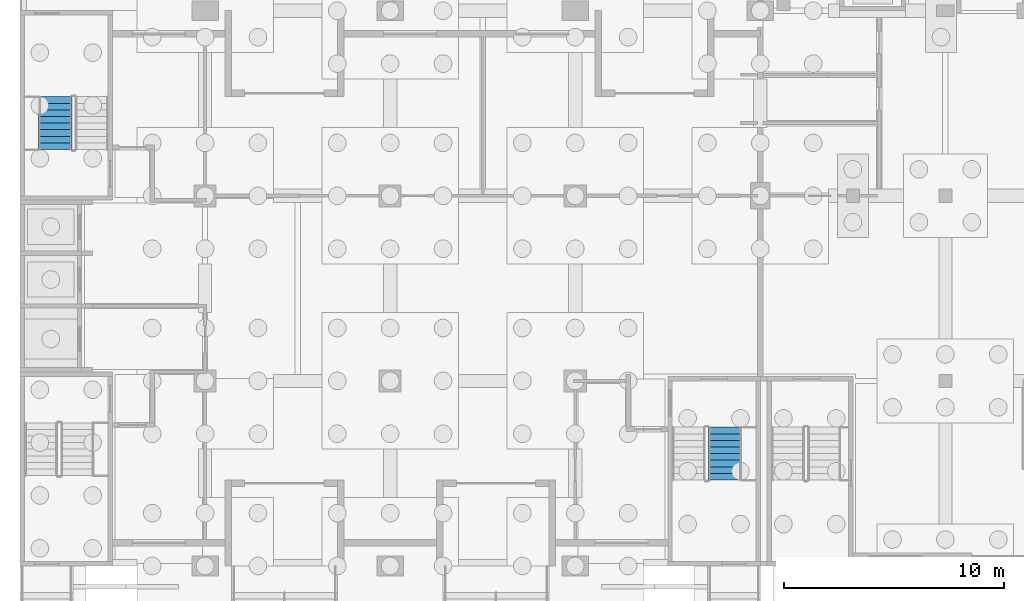
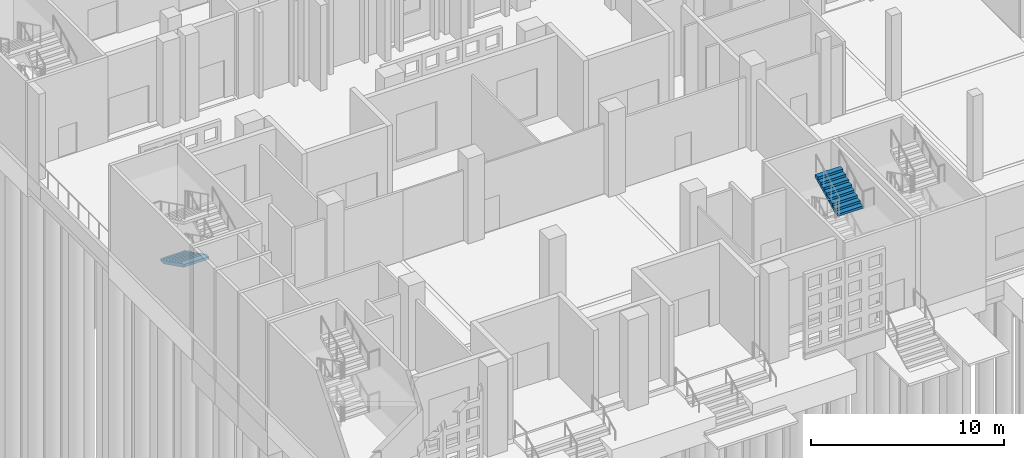
# One storey, part 64 of 129: 2 stair flights, 2 elements without a shape of their own.
"""IFC4 building model written with IfcOpenShell, lengths in metres."""

from ifc_helpers import new_model, si_unit, direction, frame, origin, place, context, subcontext, project, spatial, faceted_brep, material, type_object, element, aggregate, save


model = new_model("IFC4")

# Units and contexts
model_context = context("Model", 3, precision=1e-05, world=origin(), true_north=direction((0.0, 1.0)))
body_context = subcontext(model_context, "Body", "Model", "MODEL_VIEW")
ifc_project = project(units=[si_unit("LENGTHUNIT", "METRE"), si_unit("AREAUNIT", "SQUARE_METRE"), si_unit("VOLUMEUNIT", "CUBIC_METRE"), si_unit("PLANEANGLEUNIT", "RADIAN"), si_unit("MASSUNIT", "GRAM", prefix="KILO")], contexts=[model_context])

# Site, building, storey
site_placement = place(None, origin())
site = spatial("IfcSite", under=ifc_project, at=site_placement, CompositionType="ELEMENT")
building_placement = place(site_placement, origin())
building = spatial("IfcBuilding", under=site, at=building_placement, Name="Kiln Court Media Centre", CompositionType="ELEMENT")
storey_placement = place(building_placement, origin())
storey = spatial("IfcBuildingStorey", under=building, at=storey_placement, Name="L00", CompositionType="ELEMENT", Elevation=0.0)

# Stair, stair flight
ifc_material_1 = material(Name="Concrete C40/50", Category="concrete")
stair_type = type_object("IfcStairType", Name="Concrete C40/50 dog-leg stair 1500 wide, 150 riser", PredefinedType="HALF_TURN_STAIR", material=ifc_material_1)
stair_1_placement = place(storey_placement, origin())
stair_1 = element("IfcStair", 1, at=stair_1_placement, inside=storey, type_object=stair_type, Name="ST-02 L00", PredefinedType="HALF_TURN_STAIR")
ifc_material_2 = material(Name="Concrete C40/50", Category="concrete")
stair_flight_type = type_object("IfcStairFlightType", Name="Concrete C40/50 stair flight 1500 wide, 150 riser, 300 going", PredefinedType="STRAIGHT", material=ifc_material_2)
stair_flight_1_placement = place(storey_placement, frame((1.60009765625, 21.300048828125, 1.35009765625), z_axis=(0.0, 0.0, 1.0), x_axis=(0.0, -1.0, 0.0)))
stair_flight_1 = element("IfcStairFlight", 2, at=stair_flight_1_placement, type_object=stair_flight_type, Name="L00-ST-5001 flight 5005", NumberOfRisers=9, NumberOfTreads=8, PredefinedType="STRAIGHT", RiserHeight=0.15, TreadLength=0.3, context=body_context, shape_type="Brep", body=[
    faceted_brep([(0.335205078125, -0.75, 0.0), (2.39990234375, -0.75, 1.032470703125), (2.39990234375, -0.75, 1.199951171875), (2.10009765625, -0.75, 1.199951171875), (2.10009765625, -0.75, 1.050048828125), (1.800048828125, -0.75, 1.050048828125), (1.800048828125, -0.75, 0.89990234375), (1.5, -0.75, 0.89990234375), (1.5, -0.75, 0.75), (1.199951171875, -0.75, 0.75), (1.199951171875, -0.75, 0.60009765625), (0.89990234375, -0.75, 0.60009765625), (0.89990234375, -0.75, 0.449951171875), (0.60009765625, -0.75, 0.449951171875), (0.60009765625, -0.75, 0.300048828125), (0.300048828125, -0.75, 0.300048828125), (0.300048828125, -0.75, 0.14990234375), (0.0, -0.75, 0.14990234375), (0.0, -0.75, 0.0), (0.0, 0.75, 0.0), (0.0, 0.75, 0.14990234375), (0.300048828125, 0.75, 0.14990234375), (0.300048828125, 0.75, 0.300048828125), (0.60009765625, 0.75, 0.300048828125), (0.60009765625, 0.75, 0.449951171875), (0.89990234375, 0.75, 0.449951171875), (0.89990234375, 0.75, 0.60009765625), (1.199951171875, 0.75, 0.60009765625), (1.199951171875, 0.75, 0.75), (1.5, 0.75, 0.75), (1.5, 0.75, 0.89990234375), (1.800048828125, 0.75, 0.89990234375), (1.800048828125, 0.75, 1.050048828125), (2.10009765625, 0.75, 1.050048828125), (2.10009765625, 0.75, 1.199951171875), (2.39990234375, 0.75, 1.199951171875), (2.39990234375, 0.75, 1.032470703125), (0.335205078125, 0.75, 0.0), (2.39990234375, 0.10009765625, 1.032470703125), (0.335205078125, 0.10009765625, 0.0), (2.39990234375, 0.080078125, 1.032470703125), (0.335205078125, 0.080078125, 0.0), (2.39990234375, 0.06005859375, 1.032470703125), (0.335205078125, 0.06005859375, 0.0), (2.39990234375, 0.0400390625, 1.032470703125), (0.335205078125, 0.0400390625, 0.0), (2.39990234375, 0.02001953125, 1.032470703125), (0.335205078125, 0.02001953125, 0.0), (2.39990234375, 0.0, 1.032470703125), (0.335205078125, 0.0, 0.0), (2.39990234375, -0.02001953125, 1.032470703125), (0.335205078125, -0.02001953125, 0.0), (2.39990234375, -0.0400390625, 1.032470703125), (0.335205078125, -0.0400390625, 0.0), (2.39990234375, -0.06005859375, 1.032470703125), (0.335205078125, -0.06005859375, 0.0), (2.39990234375, -0.080078125, 1.032470703125), (0.335205078125, -0.080078125, 0.0), (2.39990234375, -0.10009765625, 1.032470703125), (0.335205078125, -0.10009765625, 0.0), (2.39990234375, 0.10009765625, 1.199951171875), (2.39990234375, 0.080078125, 1.199951171875), (2.39990234375, 0.06005859375, 1.199951171875), (2.39990234375, 0.0400390625, 1.199951171875), (2.39990234375, 0.02001953125, 1.199951171875), (2.39990234375, 0.0, 1.199951171875), (2.39990234375, -0.02001953125, 1.199951171875), (2.39990234375, -0.0400390625, 1.199951171875), (2.39990234375, -0.06005859375, 1.199951171875), (2.39990234375, -0.080078125, 1.199951171875), (2.39990234375, -0.10009765625, 1.199951171875), (2.10009765625, 0.10009765625, 1.199951171875), (2.10009765625, 0.080078125, 1.199951171875), (2.10009765625, 0.06005859375, 1.199951171875), (2.10009765625, 0.0400390625, 1.199951171875), (2.10009765625, 0.02001953125, 1.199951171875), (2.10009765625, 0.0, 1.199951171875), (2.10009765625, -0.02001953125, 1.199951171875), (2.10009765625, -0.0400390625, 1.199951171875), (2.10009765625, -0.06005859375, 1.199951171875), (2.10009765625, -0.080078125, 1.199951171875), (2.10009765625, -0.10009765625, 1.199951171875), (2.10009765625, 0.10009765625, 1.050048828125), (2.10009765625, 0.080078125, 1.050048828125), (2.10009765625, 0.06005859375, 1.050048828125), (2.10009765625, 0.0400390625, 1.050048828125), (2.10009765625, 0.02001953125, 1.050048828125), (2.10009765625, 0.0, 1.050048828125), (2.10009765625, -0.02001953125, 1.050048828125), (2.10009765625, -0.0400390625, 1.050048828125), (2.10009765625, -0.06005859375, 1.050048828125), (2.10009765625, -0.080078125, 1.050048828125), (2.10009765625, -0.10009765625, 1.050048828125), (1.800048828125, 0.10009765625, 1.050048828125), (1.800048828125, 0.080078125, 1.050048828125), (1.800048828125, 0.06005859375, 1.050048828125), (1.800048828125, 0.0400390625, 1.050048828125), (1.800048828125, 0.02001953125, 1.050048828125), (1.800048828125, 0.0, 1.050048828125), (1.800048828125, -0.02001953125, 1.050048828125), (1.800048828125, -0.0400390625, 1.050048828125), (1.800048828125, -0.06005859375, 1.050048828125), (1.800048828125, -0.080078125, 1.050048828125), (1.800048828125, -0.10009765625, 1.050048828125), (1.800048828125, 0.10009765625, 0.89990234375), (1.800048828125, 0.080078125, 0.89990234375), (1.800048828125, 0.06005859375, 0.89990234375), (1.800048828125, 0.0400390625, 0.89990234375), (1.800048828125, 0.02001953125, 0.89990234375), (1.800048828125, 0.0, 0.89990234375), (1.800048828125, -0.02001953125, 0.89990234375), (1.800048828125, -0.0400390625, 0.89990234375), (1.800048828125, -0.06005859375, 0.89990234375), (1.800048828125, -0.080078125, 0.89990234375), (1.800048828125, -0.10009765625, 0.89990234375), (1.5, 0.10009765625, 0.89990234375), (1.5, 0.080078125, 0.89990234375), (1.5, 0.06005859375, 0.89990234375), (1.5, 0.0400390625, 0.89990234375), (1.5, 0.02001953125, 0.89990234375), (1.5, 0.0, 0.89990234375), (1.5, -0.02001953125, 0.89990234375), (1.5, -0.0400390625, 0.89990234375), (1.5, -0.06005859375, 0.89990234375), (1.5, -0.080078125, 0.89990234375), (1.5, -0.10009765625, 0.89990234375), (1.5, 0.10009765625, 0.75), (1.5, 0.080078125, 0.75), (1.5, 0.06005859375, 0.75), (1.5, 0.0400390625, 0.75), (1.5, 0.02001953125, 0.75), (1.5, 0.0, 0.75), (1.5, -0.02001953125, 0.75), (1.5, -0.0400390625, 0.75), (1.5, -0.06005859375, 0.75), (1.5, -0.080078125, 0.75), (1.5, -0.10009765625, 0.75), (1.199951171875, 0.10009765625, 0.75), (1.199951171875, 0.080078125, 0.75), (1.199951171875, 0.06005859375, 0.75), (1.199951171875, 0.0400390625, 0.75), (1.199951171875, 0.02001953125, 0.75), (1.199951171875, 0.0, 0.75), (1.199951171875, -0.02001953125, 0.75), (1.199951171875, -0.0400390625, 0.75), (1.199951171875, -0.06005859375, 0.75), (1.199951171875, -0.080078125, 0.75), (1.199951171875, -0.10009765625, 0.75), (1.199951171875, 0.10009765625, 0.60009765625), (1.199951171875, 0.080078125, 0.60009765625), (1.199951171875, 0.06005859375, 0.60009765625), (1.199951171875, 0.0400390625, 0.60009765625), (1.199951171875, 0.02001953125, 0.60009765625), (1.199951171875, 0.0, 0.60009765625), (1.199951171875, -0.02001953125, 0.60009765625), (1.199951171875, -0.0400390625, 0.60009765625), (1.199951171875, -0.06005859375, 0.60009765625), (1.199951171875, -0.080078125, 0.60009765625), (1.199951171875, -0.10009765625, 0.60009765625), (0.89990234375, 0.10009765625, 0.60009765625), (0.89990234375, 0.080078125, 0.60009765625), (0.89990234375, 0.06005859375, 0.60009765625), (0.89990234375, 0.0400390625, 0.60009765625), (0.89990234375, 0.02001953125, 0.60009765625), (0.89990234375, 0.0, 0.60009765625), (0.89990234375, -0.02001953125, 0.60009765625), (0.89990234375, -0.0400390625, 0.60009765625), (0.89990234375, -0.06005859375, 0.60009765625), (0.89990234375, -0.080078125, 0.60009765625), (0.89990234375, -0.10009765625, 0.60009765625), (0.89990234375, 0.10009765625, 0.449951171875), (0.89990234375, 0.080078125, 0.449951171875), (0.89990234375, 0.06005859375, 0.449951171875), (0.89990234375, 0.0400390625, 0.449951171875), (0.89990234375, 0.02001953125, 0.449951171875), (0.89990234375, 0.0, 0.449951171875), (0.89990234375, -0.02001953125, 0.449951171875), (0.89990234375, -0.0400390625, 0.449951171875), (0.89990234375, -0.06005859375, 0.449951171875), (0.89990234375, -0.080078125, 0.449951171875), (0.89990234375, -0.10009765625, 0.449951171875), (0.60009765625, 0.10009765625, 0.449951171875), (0.60009765625, 0.080078125, 0.449951171875), (0.60009765625, 0.06005859375, 0.449951171875), (0.60009765625, 0.0400390625, 0.449951171875), (0.60009765625, 0.02001953125, 0.449951171875), (0.60009765625, 0.0, 0.449951171875), (0.60009765625, -0.02001953125, 0.449951171875), (0.60009765625, -0.0400390625, 0.449951171875), (0.60009765625, -0.06005859375, 0.449951171875), (0.60009765625, -0.080078125, 0.449951171875), (0.60009765625, -0.10009765625, 0.449951171875), (0.60009765625, 0.10009765625, 0.300048828125), (0.60009765625, 0.080078125, 0.300048828125), (0.60009765625, 0.06005859375, 0.300048828125), (0.60009765625, 0.0400390625, 0.300048828125), (0.60009765625, 0.02001953125, 0.300048828125), (0.60009765625, 0.0, 0.300048828125), (0.60009765625, -0.02001953125, 0.300048828125), (0.60009765625, -0.0400390625, 0.300048828125), (0.60009765625, -0.06005859375, 0.300048828125), (0.60009765625, -0.080078125, 0.300048828125), (0.60009765625, -0.10009765625, 0.300048828125), (0.300048828125, 0.10009765625, 0.300048828125), (0.300048828125, 0.080078125, 0.300048828125), (0.300048828125, 0.06005859375, 0.300048828125), (0.300048828125, 0.0400390625, 0.300048828125), (0.300048828125, 0.02001953125, 0.300048828125), (0.300048828125, 0.0, 0.300048828125), (0.300048828125, -0.02001953125, 0.300048828125), (0.300048828125, -0.0400390625, 0.300048828125), (0.300048828125, -0.06005859375, 0.300048828125), (0.300048828125, -0.080078125, 0.300048828125), (0.300048828125, -0.10009765625, 0.300048828125), (0.300048828125, 0.10009765625, 0.14990234375), (0.300048828125, 0.080078125, 0.14990234375), (0.300048828125, 0.06005859375, 0.14990234375), (0.300048828125, 0.0400390625, 0.14990234375), (0.300048828125, 0.02001953125, 0.14990234375), (0.300048828125, 0.0, 0.14990234375), (0.300048828125, -0.02001953125, 0.14990234375), (0.300048828125, -0.0400390625, 0.14990234375), (0.300048828125, -0.06005859375, 0.14990234375), (0.300048828125, -0.080078125, 0.14990234375), (0.300048828125, -0.10009765625, 0.14990234375), (0.0, 0.10009765625, 0.14990234375), (0.0, 0.080078125, 0.14990234375), (0.0, 0.06005859375, 0.14990234375), (0.0, 0.0400390625, 0.14990234375), (0.0, 0.02001953125, 0.14990234375), (0.0, 0.0, 0.14990234375), (0.0, -0.02001953125, 0.14990234375), (0.0, -0.0400390625, 0.14990234375), (0.0, -0.06005859375, 0.14990234375), (0.0, -0.080078125, 0.14990234375), (0.0, -0.10009765625, 0.14990234375), (0.0, 0.10009765625, 0.0), (0.0, 0.080078125, 0.0), (0.0, 0.06005859375, 0.0), (0.0, 0.0400390625, 0.0), (0.0, 0.02001953125, 0.0), (0.0, 0.0, 0.0), (0.0, -0.02001953125, 0.0), (0.0, -0.0400390625, 0.0), (0.0, -0.06005859375, 0.0), (0.0, -0.080078125, 0.0), (0.0, -0.10009765625, 0.0)], [[[0, 1, 2, 3, 4, 5, 6, 7, 8, 9, 10, 11, 12, 13, 14, 15, 16, 17, 18]], [[19, 20, 21, 22, 23, 24, 25, 26, 27, 28, 29, 30, 31, 32, 33, 34, 35, 36, 37]], [[37, 36, 38, 39]], [[39, 38, 40, 41]], [[41, 40, 42, 43]], [[43, 42, 44, 45]], [[45, 44, 46, 47]], [[47, 46, 48, 49]], [[49, 48, 50, 51]], [[51, 50, 52, 53]], [[53, 52, 54, 55]], [[55, 54, 56, 57]], [[57, 56, 58, 59]], [[59, 58, 1, 0]], [[36, 35, 60, 38]], [[38, 60, 61, 40]], [[40, 61, 62, 42]], [[42, 62, 63, 44]], [[44, 63, 64, 46]], [[46, 64, 65, 48]], [[48, 65, 66, 50]], [[50, 66, 67, 52]], [[52, 67, 68, 54]], [[54, 68, 69, 56]], [[56, 69, 70, 58]], [[58, 70, 2, 1]], [[35, 34, 71, 60]], [[60, 71, 72, 61]], [[61, 72, 73, 62]], [[62, 73, 74, 63]], [[63, 74, 75, 64]], [[64, 75, 76, 65]], [[65, 76, 77, 66]], [[66, 77, 78, 67]], [[67, 78, 79, 68]], [[68, 79, 80, 69]], [[69, 80, 81, 70]], [[70, 81, 3, 2]], [[34, 33, 82, 71]], [[71, 82, 83, 72]], [[72, 83, 84, 73]], [[73, 84, 85, 74]], [[74, 85, 86, 75]], [[75, 86, 87, 76]], [[76, 87, 88, 77]], [[77, 88, 89, 78]], [[78, 89, 90, 79]], [[79, 90, 91, 80]], [[80, 91, 92, 81]], [[81, 92, 4, 3]], [[33, 32, 93, 82]], [[82, 93, 94, 83]], [[83, 94, 95, 84]], [[84, 95, 96, 85]], [[85, 96, 97, 86]], [[86, 97, 98, 87]], [[87, 98, 99, 88]], [[88, 99, 100, 89]], [[89, 100, 101, 90]], [[90, 101, 102, 91]], [[91, 102, 103, 92]], [[92, 103, 5, 4]], [[32, 31, 104, 93]], [[93, 104, 105, 94]], [[94, 105, 106, 95]], [[95, 106, 107, 96]], [[96, 107, 108, 97]], [[97, 108, 109, 98]], [[98, 109, 110, 99]], [[99, 110, 111, 100]], [[100, 111, 112, 101]], [[101, 112, 113, 102]], [[102, 113, 114, 103]], [[103, 114, 6, 5]], [[31, 30, 115, 104]], [[104, 115, 116, 105]], [[105, 116, 117, 106]], [[106, 117, 118, 107]], [[107, 118, 119, 108]], [[108, 119, 120, 109]], [[109, 120, 121, 110]], [[110, 121, 122, 111]], [[111, 122, 123, 112]], [[112, 123, 124, 113]], [[113, 124, 125, 114]], [[114, 125, 7, 6]], [[30, 29, 126, 115]], [[115, 126, 127, 116]], [[116, 127, 128, 117]], [[117, 128, 129, 118]], [[118, 129, 130, 119]], [[119, 130, 131, 120]], [[120, 131, 132, 121]], [[121, 132, 133, 122]], [[122, 133, 134, 123]], [[123, 134, 135, 124]], [[124, 135, 136, 125]], [[125, 136, 8, 7]], [[29, 28, 137, 126]], [[126, 137, 138, 127]], [[127, 138, 139, 128]], [[128, 139, 140, 129]], [[129, 140, 141, 130]], [[130, 141, 142, 131]], [[131, 142, 143, 132]], [[132, 143, 144, 133]], [[133, 144, 145, 134]], [[134, 145, 146, 135]], [[135, 146, 147, 136]], [[136, 147, 9, 8]], [[28, 27, 148, 137]], [[137, 148, 149, 138]], [[138, 149, 150, 139]], [[139, 150, 151, 140]], [[140, 151, 152, 141]], [[141, 152, 153, 142]], [[142, 153, 154, 143]], [[143, 154, 155, 144]], [[144, 155, 156, 145]], [[145, 156, 157, 146]], [[146, 157, 158, 147]], [[147, 158, 10, 9]], [[27, 26, 159, 148]], [[148, 159, 160, 149]], [[149, 160, 161, 150]], [[150, 161, 162, 151]], [[151, 162, 163, 152]], [[152, 163, 164, 153]], [[153, 164, 165, 154]], [[154, 165, 166, 155]], [[155, 166, 167, 156]], [[156, 167, 168, 157]], [[157, 168, 169, 158]], [[158, 169, 11, 10]], [[26, 25, 170, 159]], [[159, 170, 171, 160]], [[160, 171, 172, 161]], [[161, 172, 173, 162]], [[162, 173, 174, 163]], [[163, 174, 175, 164]], [[164, 175, 176, 165]], [[165, 176, 177, 166]], [[166, 177, 178, 167]], [[167, 178, 179, 168]], [[168, 179, 180, 169]], [[169, 180, 12, 11]], [[25, 24, 181, 170]], [[170, 181, 182, 171]], [[171, 182, 183, 172]], [[172, 183, 184, 173]], [[173, 184, 185, 174]], [[174, 185, 186, 175]], [[175, 186, 187, 176]], [[176, 187, 188, 177]], [[177, 188, 189, 178]], [[178, 189, 190, 179]], [[179, 190, 191, 180]], [[180, 191, 13, 12]], [[24, 23, 192, 181]], [[181, 192, 193, 182]], [[182, 193, 194, 183]], [[183, 194, 195, 184]], [[184, 195, 196, 185]], [[185, 196, 197, 186]], [[186, 197, 198, 187]], [[187, 198, 199, 188]], [[188, 199, 200, 189]], [[189, 200, 201, 190]], [[190, 201, 202, 191]], [[191, 202, 14, 13]], [[23, 22, 203, 192]], [[192, 203, 204, 193]], [[193, 204, 205, 194]], [[194, 205, 206, 195]], [[195, 206, 207, 196]], [[196, 207, 208, 197]], [[197, 208, 209, 198]], [[198, 209, 210, 199]], [[199, 210, 211, 200]], [[200, 211, 212, 201]], [[201, 212, 213, 202]], [[202, 213, 15, 14]], [[22, 21, 214, 203]], [[203, 214, 215, 204]], [[204, 215, 216, 205]], [[205, 216, 217, 206]], [[206, 217, 218, 207]], [[207, 218, 219, 208]], [[208, 219, 220, 209]], [[209, 220, 221, 210]], [[210, 221, 222, 211]], [[211, 222, 223, 212]], [[212, 223, 224, 213]], [[213, 224, 16, 15]], [[21, 20, 225, 214]], [[214, 225, 226, 215]], [[215, 226, 227, 216]], [[216, 227, 228, 217]], [[217, 228, 229, 218]], [[218, 229, 230, 219]], [[219, 230, 231, 220]], [[220, 231, 232, 221]], [[221, 232, 233, 222]], [[222, 233, 234, 223]], [[223, 234, 235, 224]], [[224, 235, 17, 16]], [[20, 19, 236, 225]], [[225, 236, 237, 226]], [[226, 237, 238, 227]], [[227, 238, 239, 228]], [[228, 239, 240, 229]], [[229, 240, 241, 230]], [[230, 241, 242, 231]], [[231, 242, 243, 232]], [[232, 243, 244, 233]], [[233, 244, 245, 234]], [[234, 245, 246, 235]], [[235, 246, 18, 17]], [[19, 37, 39, 236]], [[236, 39, 41, 237]], [[237, 41, 43, 238]], [[238, 43, 45, 239]], [[239, 45, 47, 240]], [[240, 47, 49, 241]], [[241, 49, 51, 242]], [[242, 51, 53, 243]], [[243, 53, 55, 244]], [[244, 55, 57, 245]], [[245, 57, 59, 246]], [[246, 59, 0, 18]]]),
])
aggregate(stair_1, [stair_flight_1])

stair_2_placement = place(storey_placement, origin())
stair_2 = element("IfcStair", 3, at=stair_2_placement, inside=storey, type_object=stair_type, Name="ST-03 L00", PredefinedType="HALF_TURN_STAIR")
stair_flight_2_placement = place(storey_placement, frame((32.0, 3.89990234375, 4.050048828125), z_axis=(0.0, 0.0, 1.0), x_axis=(0.0, 1.0, 0.0)))
stair_flight_2 = element("IfcStairFlight", 4, at=stair_flight_2_placement, type_object=stair_flight_type, Name="L00-ST-5002 flight 5011", NumberOfRisers=9, NumberOfTreads=8, PredefinedType="STRAIGHT", RiserHeight=0.15, TreadLength=0.3, context=body_context, shape_type="Brep", body=[
    faceted_brep([(0.335205078125, -0.75, 0.0), (2.39990234375, -0.75, 1.032470703125), (2.39990234375, -0.75, 1.199951171875), (2.10009765625, -0.75, 1.199951171875), (2.10009765625, -0.75, 1.050048828125), (1.800048828125, -0.75, 1.050048828125), (1.800048828125, -0.75, 0.89990234375), (1.5, -0.75, 0.89990234375), (1.5, -0.75, 0.75), (1.199951171875, -0.75, 0.75), (1.199951171875, -0.75, 0.60009765625), (0.89990234375, -0.75, 0.60009765625), (0.89990234375, -0.75, 0.449951171875), (0.60009765625, -0.75, 0.449951171875), (0.60009765625, -0.75, 0.300048828125), (0.300048828125, -0.75, 0.300048828125), (0.300048828125, -0.75, 0.14990234375), (0.0, -0.75, 0.14990234375), (0.0, -0.75, 0.0), (0.0, 0.75, 0.0), (0.0, 0.75, 0.14990234375), (0.300048828125, 0.75, 0.14990234375), (0.300048828125, 0.75, 0.300048828125), (0.60009765625, 0.75, 0.300048828125), (0.60009765625, 0.75, 0.449951171875), (0.89990234375, 0.75, 0.449951171875), (0.89990234375, 0.75, 0.60009765625), (1.199951171875, 0.75, 0.60009765625), (1.199951171875, 0.75, 0.75), (1.5, 0.75, 0.75), (1.5, 0.75, 0.89990234375), (1.800048828125, 0.75, 0.89990234375), (1.800048828125, 0.75, 1.050048828125), (2.10009765625, 0.75, 1.050048828125), (2.10009765625, 0.75, 1.199951171875), (2.39990234375, 0.75, 1.199951171875), (2.39990234375, 0.75, 1.032470703125), (0.335205078125, 0.75, 0.0), (2.39990234375, 0.10009765625, 1.032470703125), (0.335205078125, 0.10009765625, 0.0), (2.39990234375, 0.080078125, 1.032470703125), (0.335205078125, 0.080078125, 0.0), (2.39990234375, 0.06005859375, 1.032470703125), (0.335205078125, 0.06005859375, 0.0), (2.39990234375, 0.0400390625, 1.032470703125), (0.335205078125, 0.0400390625, 0.0), (2.39990234375, 0.02001953125, 1.032470703125), (0.335205078125, 0.02001953125, 0.0), (2.39990234375, 0.0, 1.032470703125), (0.335205078125, 0.0, 0.0), (2.39990234375, -0.02001953125, 1.032470703125), (0.335205078125, -0.02001953125, 0.0), (2.39990234375, -0.0400390625, 1.032470703125), (0.335205078125, -0.0400390625, 0.0), (2.39990234375, -0.06005859375, 1.032470703125), (0.335205078125, -0.06005859375, 0.0), (2.39990234375, -0.080078125, 1.032470703125), (0.335205078125, -0.080078125, 0.0), (2.39990234375, -0.10009765625, 1.032470703125), (0.335205078125, -0.10009765625, 0.0), (2.39990234375, 0.10009765625, 1.199951171875), (2.39990234375, 0.080078125, 1.199951171875), (2.39990234375, 0.06005859375, 1.199951171875), (2.39990234375, 0.0400390625, 1.199951171875), (2.39990234375, 0.02001953125, 1.199951171875), (2.39990234375, 0.0, 1.199951171875), (2.39990234375, -0.02001953125, 1.199951171875), (2.39990234375, -0.0400390625, 1.199951171875), (2.39990234375, -0.06005859375, 1.199951171875), (2.39990234375, -0.080078125, 1.199951171875), (2.39990234375, -0.10009765625, 1.199951171875), (2.10009765625, 0.10009765625, 1.199951171875), (2.10009765625, 0.080078125, 1.199951171875), (2.10009765625, 0.06005859375, 1.199951171875), (2.10009765625, 0.0400390625, 1.199951171875), (2.10009765625, 0.02001953125, 1.199951171875), (2.10009765625, 0.0, 1.199951171875), (2.10009765625, -0.02001953125, 1.199951171875), (2.10009765625, -0.0400390625, 1.199951171875), (2.10009765625, -0.06005859375, 1.199951171875), (2.10009765625, -0.080078125, 1.199951171875), (2.10009765625, -0.10009765625, 1.199951171875), (2.10009765625, 0.10009765625, 1.050048828125), (2.10009765625, 0.080078125, 1.050048828125), (2.10009765625, 0.06005859375, 1.050048828125), (2.10009765625, 0.0400390625, 1.050048828125), (2.10009765625, 0.02001953125, 1.050048828125), (2.10009765625, 0.0, 1.050048828125), (2.10009765625, -0.02001953125, 1.050048828125), (2.10009765625, -0.0400390625, 1.050048828125), (2.10009765625, -0.06005859375, 1.050048828125), (2.10009765625, -0.080078125, 1.050048828125), (2.10009765625, -0.10009765625, 1.050048828125), (1.800048828125, 0.10009765625, 1.050048828125), (1.800048828125, 0.080078125, 1.050048828125), (1.800048828125, 0.06005859375, 1.050048828125), (1.800048828125, 0.0400390625, 1.050048828125), (1.800048828125, 0.02001953125, 1.050048828125), (1.800048828125, 0.0, 1.050048828125), (1.800048828125, -0.02001953125, 1.050048828125), (1.800048828125, -0.0400390625, 1.050048828125), (1.800048828125, -0.06005859375, 1.050048828125), (1.800048828125, -0.080078125, 1.050048828125), (1.800048828125, -0.10009765625, 1.050048828125), (1.800048828125, 0.10009765625, 0.89990234375), (1.800048828125, 0.080078125, 0.89990234375), (1.800048828125, 0.06005859375, 0.89990234375), (1.800048828125, 0.0400390625, 0.89990234375), (1.800048828125, 0.02001953125, 0.89990234375), (1.800048828125, 0.0, 0.89990234375), (1.800048828125, -0.02001953125, 0.89990234375), (1.800048828125, -0.0400390625, 0.89990234375), (1.800048828125, -0.06005859375, 0.89990234375), (1.800048828125, -0.080078125, 0.89990234375), (1.800048828125, -0.10009765625, 0.89990234375), (1.5, 0.10009765625, 0.89990234375), (1.5, 0.080078125, 0.89990234375), (1.5, 0.06005859375, 0.89990234375), (1.5, 0.0400390625, 0.89990234375), (1.5, 0.02001953125, 0.89990234375), (1.5, 0.0, 0.89990234375), (1.5, -0.02001953125, 0.89990234375), (1.5, -0.0400390625, 0.89990234375), (1.5, -0.06005859375, 0.89990234375), (1.5, -0.080078125, 0.89990234375), (1.5, -0.10009765625, 0.89990234375), (1.5, 0.10009765625, 0.75), (1.5, 0.080078125, 0.75), (1.5, 0.06005859375, 0.75), (1.5, 0.0400390625, 0.75), (1.5, 0.02001953125, 0.75), (1.5, 0.0, 0.75), (1.5, -0.02001953125, 0.75), (1.5, -0.0400390625, 0.75), (1.5, -0.06005859375, 0.75), (1.5, -0.080078125, 0.75), (1.5, -0.10009765625, 0.75), (1.199951171875, 0.10009765625, 0.75), (1.199951171875, 0.080078125, 0.75), (1.199951171875, 0.06005859375, 0.75), (1.199951171875, 0.0400390625, 0.75), (1.199951171875, 0.02001953125, 0.75), (1.199951171875, 0.0, 0.75), (1.199951171875, -0.02001953125, 0.75), (1.199951171875, -0.0400390625, 0.75), (1.199951171875, -0.06005859375, 0.75), (1.199951171875, -0.080078125, 0.75), (1.199951171875, -0.10009765625, 0.75), (1.199951171875, 0.10009765625, 0.60009765625), (1.199951171875, 0.080078125, 0.60009765625), (1.199951171875, 0.06005859375, 0.60009765625), (1.199951171875, 0.0400390625, 0.60009765625), (1.199951171875, 0.02001953125, 0.60009765625), (1.199951171875, 0.0, 0.60009765625), (1.199951171875, -0.02001953125, 0.60009765625), (1.199951171875, -0.0400390625, 0.60009765625), (1.199951171875, -0.06005859375, 0.60009765625), (1.199951171875, -0.080078125, 0.60009765625), (1.199951171875, -0.10009765625, 0.60009765625), (0.89990234375, 0.10009765625, 0.60009765625), (0.89990234375, 0.080078125, 0.60009765625), (0.89990234375, 0.06005859375, 0.60009765625), (0.89990234375, 0.0400390625, 0.60009765625), (0.89990234375, 0.02001953125, 0.60009765625), (0.89990234375, 0.0, 0.60009765625), (0.89990234375, -0.02001953125, 0.60009765625), (0.89990234375, -0.0400390625, 0.60009765625), (0.89990234375, -0.06005859375, 0.60009765625), (0.89990234375, -0.080078125, 0.60009765625), (0.89990234375, -0.10009765625, 0.60009765625), (0.89990234375, 0.10009765625, 0.449951171875), (0.89990234375, 0.080078125, 0.449951171875), (0.89990234375, 0.06005859375, 0.449951171875), (0.89990234375, 0.0400390625, 0.449951171875), (0.89990234375, 0.02001953125, 0.449951171875), (0.89990234375, 0.0, 0.449951171875), (0.89990234375, -0.02001953125, 0.449951171875), (0.89990234375, -0.0400390625, 0.449951171875), (0.89990234375, -0.06005859375, 0.449951171875), (0.89990234375, -0.080078125, 0.449951171875), (0.89990234375, -0.10009765625, 0.449951171875), (0.60009765625, 0.10009765625, 0.449951171875), (0.60009765625, 0.080078125, 0.449951171875), (0.60009765625, 0.06005859375, 0.449951171875), (0.60009765625, 0.0400390625, 0.449951171875), (0.60009765625, 0.02001953125, 0.449951171875), (0.60009765625, 0.0, 0.449951171875), (0.60009765625, -0.02001953125, 0.449951171875), (0.60009765625, -0.0400390625, 0.449951171875), (0.60009765625, -0.06005859375, 0.449951171875), (0.60009765625, -0.080078125, 0.449951171875), (0.60009765625, -0.10009765625, 0.449951171875), (0.60009765625, 0.10009765625, 0.300048828125), (0.60009765625, 0.080078125, 0.300048828125), (0.60009765625, 0.06005859375, 0.300048828125), (0.60009765625, 0.0400390625, 0.300048828125), (0.60009765625, 0.02001953125, 0.300048828125), (0.60009765625, 0.0, 0.300048828125), (0.60009765625, -0.02001953125, 0.300048828125), (0.60009765625, -0.0400390625, 0.300048828125), (0.60009765625, -0.06005859375, 0.300048828125), (0.60009765625, -0.080078125, 0.300048828125), (0.60009765625, -0.10009765625, 0.300048828125), (0.300048828125, 0.10009765625, 0.300048828125), (0.300048828125, 0.080078125, 0.300048828125), (0.300048828125, 0.06005859375, 0.300048828125), (0.300048828125, 0.0400390625, 0.300048828125), (0.300048828125, 0.02001953125, 0.300048828125), (0.300048828125, 0.0, 0.300048828125), (0.300048828125, -0.02001953125, 0.300048828125), (0.300048828125, -0.0400390625, 0.300048828125), (0.300048828125, -0.06005859375, 0.300048828125), (0.300048828125, -0.080078125, 0.300048828125), (0.300048828125, -0.10009765625, 0.300048828125), (0.300048828125, 0.10009765625, 0.14990234375), (0.300048828125, 0.080078125, 0.14990234375), (0.300048828125, 0.06005859375, 0.14990234375), (0.300048828125, 0.0400390625, 0.14990234375), (0.300048828125, 0.02001953125, 0.14990234375), (0.300048828125, 0.0, 0.14990234375), (0.300048828125, -0.02001953125, 0.14990234375), (0.300048828125, -0.0400390625, 0.14990234375), (0.300048828125, -0.06005859375, 0.14990234375), (0.300048828125, -0.080078125, 0.14990234375), (0.300048828125, -0.10009765625, 0.14990234375), (0.0, 0.10009765625, 0.14990234375), (0.0, 0.080078125, 0.14990234375), (0.0, 0.06005859375, 0.14990234375), (0.0, 0.0400390625, 0.14990234375), (0.0, 0.02001953125, 0.14990234375), (0.0, 0.0, 0.14990234375), (0.0, -0.02001953125, 0.14990234375), (0.0, -0.0400390625, 0.14990234375), (0.0, -0.06005859375, 0.14990234375), (0.0, -0.080078125, 0.14990234375), (0.0, -0.10009765625, 0.14990234375), (0.0, 0.10009765625, 0.0), (0.0, 0.080078125, 0.0), (0.0, 0.06005859375, 0.0), (0.0, 0.0400390625, 0.0), (0.0, 0.02001953125, 0.0), (0.0, 0.0, 0.0), (0.0, -0.02001953125, 0.0), (0.0, -0.0400390625, 0.0), (0.0, -0.06005859375, 0.0), (0.0, -0.080078125, 0.0), (0.0, -0.10009765625, 0.0)], [[[0, 1, 2, 3, 4, 5, 6, 7, 8, 9, 10, 11, 12, 13, 14, 15, 16, 17, 18]], [[19, 20, 21, 22, 23, 24, 25, 26, 27, 28, 29, 30, 31, 32, 33, 34, 35, 36, 37]], [[37, 36, 38, 39]], [[39, 38, 40, 41]], [[41, 40, 42, 43]], [[43, 42, 44, 45]], [[45, 44, 46, 47]], [[47, 46, 48, 49]], [[49, 48, 50, 51]], [[51, 50, 52, 53]], [[53, 52, 54, 55]], [[55, 54, 56, 57]], [[57, 56, 58, 59]], [[59, 58, 1, 0]], [[36, 35, 60, 38]], [[38, 60, 61, 40]], [[40, 61, 62, 42]], [[42, 62, 63, 44]], [[44, 63, 64, 46]], [[46, 64, 65, 48]], [[48, 65, 66, 50]], [[50, 66, 67, 52]], [[52, 67, 68, 54]], [[54, 68, 69, 56]], [[56, 69, 70, 58]], [[58, 70, 2, 1]], [[35, 34, 71, 60]], [[60, 71, 72, 61]], [[61, 72, 73, 62]], [[62, 73, 74, 63]], [[63, 74, 75, 64]], [[64, 75, 76, 65]], [[65, 76, 77, 66]], [[66, 77, 78, 67]], [[67, 78, 79, 68]], [[68, 79, 80, 69]], [[69, 80, 81, 70]], [[70, 81, 3, 2]], [[34, 33, 82, 71]], [[71, 82, 83, 72]], [[72, 83, 84, 73]], [[73, 84, 85, 74]], [[74, 85, 86, 75]], [[75, 86, 87, 76]], [[76, 87, 88, 77]], [[77, 88, 89, 78]], [[78, 89, 90, 79]], [[79, 90, 91, 80]], [[80, 91, 92, 81]], [[81, 92, 4, 3]], [[33, 32, 93, 82]], [[82, 93, 94, 83]], [[83, 94, 95, 84]], [[84, 95, 96, 85]], [[85, 96, 97, 86]], [[86, 97, 98, 87]], [[87, 98, 99, 88]], [[88, 99, 100, 89]], [[89, 100, 101, 90]], [[90, 101, 102, 91]], [[91, 102, 103, 92]], [[92, 103, 5, 4]], [[32, 31, 104, 93]], [[93, 104, 105, 94]], [[94, 105, 106, 95]], [[95, 106, 107, 96]], [[96, 107, 108, 97]], [[97, 108, 109, 98]], [[98, 109, 110, 99]], [[99, 110, 111, 100]], [[100, 111, 112, 101]], [[101, 112, 113, 102]], [[102, 113, 114, 103]], [[103, 114, 6, 5]], [[31, 30, 115, 104]], [[104, 115, 116, 105]], [[105, 116, 117, 106]], [[106, 117, 118, 107]], [[107, 118, 119, 108]], [[108, 119, 120, 109]], [[109, 120, 121, 110]], [[110, 121, 122, 111]], [[111, 122, 123, 112]], [[112, 123, 124, 113]], [[113, 124, 125, 114]], [[114, 125, 7, 6]], [[30, 29, 126, 115]], [[115, 126, 127, 116]], [[116, 127, 128, 117]], [[117, 128, 129, 118]], [[118, 129, 130, 119]], [[119, 130, 131, 120]], [[120, 131, 132, 121]], [[121, 132, 133, 122]], [[122, 133, 134, 123]], [[123, 134, 135, 124]], [[124, 135, 136, 125]], [[125, 136, 8, 7]], [[29, 28, 137, 126]], [[126, 137, 138, 127]], [[127, 138, 139, 128]], [[128, 139, 140, 129]], [[129, 140, 141, 130]], [[130, 141, 142, 131]], [[131, 142, 143, 132]], [[132, 143, 144, 133]], [[133, 144, 145, 134]], [[134, 145, 146, 135]], [[135, 146, 147, 136]], [[136, 147, 9, 8]], [[28, 27, 148, 137]], [[137, 148, 149, 138]], [[138, 149, 150, 139]], [[139, 150, 151, 140]], [[140, 151, 152, 141]], [[141, 152, 153, 142]], [[142, 153, 154, 143]], [[143, 154, 155, 144]], [[144, 155, 156, 145]], [[145, 156, 157, 146]], [[146, 157, 158, 147]], [[147, 158, 10, 9]], [[27, 26, 159, 148]], [[148, 159, 160, 149]], [[149, 160, 161, 150]], [[150, 161, 162, 151]], [[151, 162, 163, 152]], [[152, 163, 164, 153]], [[153, 164, 165, 154]], [[154, 165, 166, 155]], [[155, 166, 167, 156]], [[156, 167, 168, 157]], [[157, 168, 169, 158]], [[158, 169, 11, 10]], [[26, 25, 170, 159]], [[159, 170, 171, 160]], [[160, 171, 172, 161]], [[161, 172, 173, 162]], [[162, 173, 174, 163]], [[163, 174, 175, 164]], [[164, 175, 176, 165]], [[165, 176, 177, 166]], [[166, 177, 178, 167]], [[167, 178, 179, 168]], [[168, 179, 180, 169]], [[169, 180, 12, 11]], [[25, 24, 181, 170]], [[170, 181, 182, 171]], [[171, 182, 183, 172]], [[172, 183, 184, 173]], [[173, 184, 185, 174]], [[174, 185, 186, 175]], [[175, 186, 187, 176]], [[176, 187, 188, 177]], [[177, 188, 189, 178]], [[178, 189, 190, 179]], [[179, 190, 191, 180]], [[180, 191, 13, 12]], [[24, 23, 192, 181]], [[181, 192, 193, 182]], [[182, 193, 194, 183]], [[183, 194, 195, 184]], [[184, 195, 196, 185]], [[185, 196, 197, 186]], [[186, 197, 198, 187]], [[187, 198, 199, 188]], [[188, 199, 200, 189]], [[189, 200, 201, 190]], [[190, 201, 202, 191]], [[191, 202, 14, 13]], [[23, 22, 203, 192]], [[192, 203, 204, 193]], [[193, 204, 205, 194]], [[194, 205, 206, 195]], [[195, 206, 207, 196]], [[196, 207, 208, 197]], [[197, 208, 209, 198]], [[198, 209, 210, 199]], [[199, 210, 211, 200]], [[200, 211, 212, 201]], [[201, 212, 213, 202]], [[202, 213, 15, 14]], [[22, 21, 214, 203]], [[203, 214, 215, 204]], [[204, 215, 216, 205]], [[205, 216, 217, 206]], [[206, 217, 218, 207]], [[207, 218, 219, 208]], [[208, 219, 220, 209]], [[209, 220, 221, 210]], [[210, 221, 222, 211]], [[211, 222, 223, 212]], [[212, 223, 224, 213]], [[213, 224, 16, 15]], [[21, 20, 225, 214]], [[214, 225, 226, 215]], [[215, 226, 227, 216]], [[216, 227, 228, 217]], [[217, 228, 229, 218]], [[218, 229, 230, 219]], [[219, 230, 231, 220]], [[220, 231, 232, 221]], [[221, 232, 233, 222]], [[222, 233, 234, 223]], [[223, 234, 235, 224]], [[224, 235, 17, 16]], [[20, 19, 236, 225]], [[225, 236, 237, 226]], [[226, 237, 238, 227]], [[227, 238, 239, 228]], [[228, 239, 240, 229]], [[229, 240, 241, 230]], [[230, 241, 242, 231]], [[231, 242, 243, 232]], [[232, 243, 244, 233]], [[233, 244, 245, 234]], [[234, 245, 246, 235]], [[235, 246, 18, 17]], [[19, 37, 39, 236]], [[236, 39, 41, 237]], [[237, 41, 43, 238]], [[238, 43, 45, 239]], [[239, 45, 47, 240]], [[240, 47, 49, 241]], [[241, 49, 51, 242]], [[242, 51, 53, 243]], [[243, 53, 55, 244]], [[244, 55, 57, 245]], [[245, 57, 59, 246]], [[246, 59, 0, 18]]]),
])
aggregate(stair_2, [stair_flight_2])

save(model, "model.ifc")
